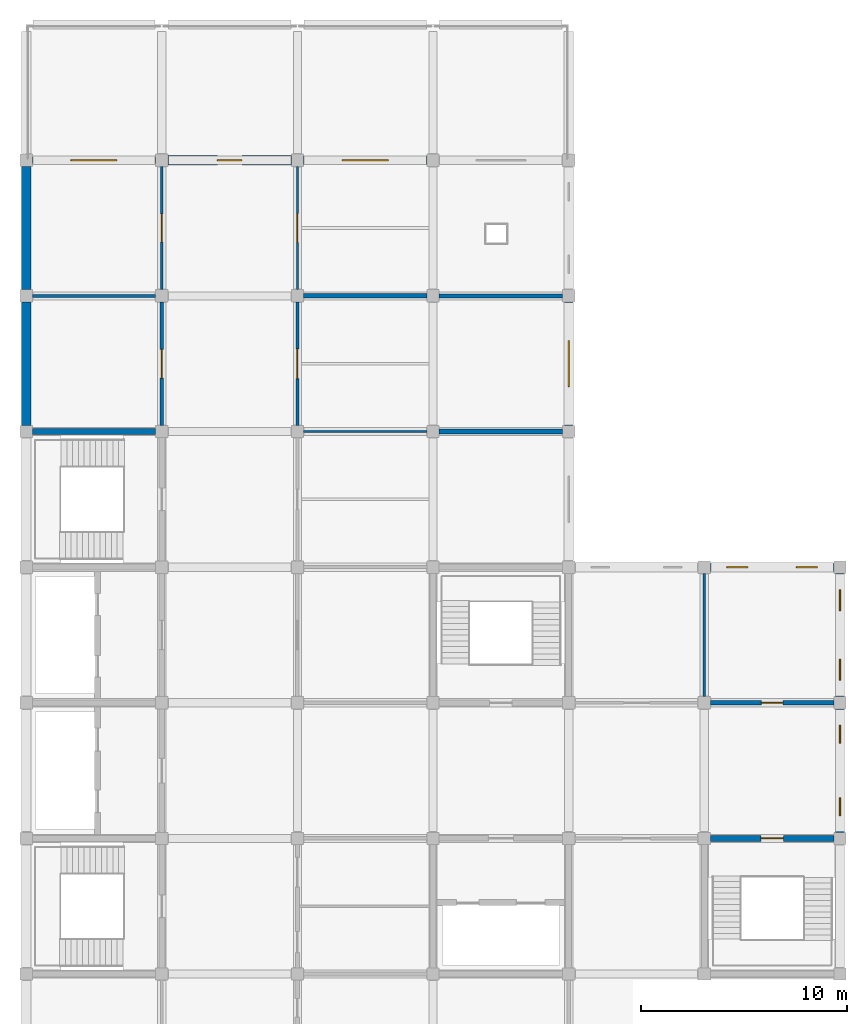
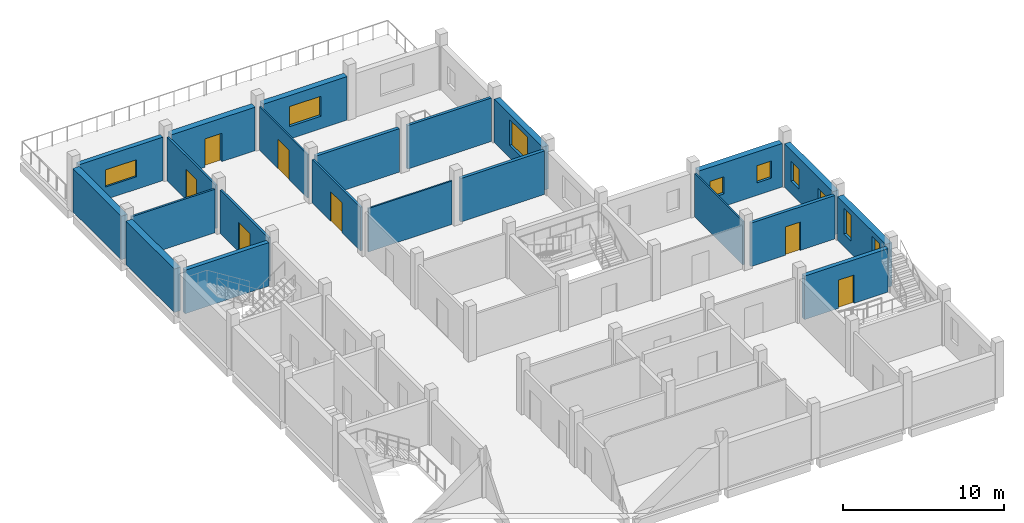
# One storey, part 4 of 7: 22 walls, 9 windows, 7 doors, 16 openings.
"""IFC4 building model written with IfcOpenShell, lengths in metres."""

from ifc_helpers import new_model, si_unit, direction, frame, frame_2d, origin, place, context, subcontext, project, spatial, rectangle, extrude, material, layer, layer_set, type_object, element, fill, save


model = new_model("IFC4")

# Units and contexts
model_context = context("Model", 3, precision=1e-05, world=origin(), true_north=direction((0.0, 1.0)))
body_context = subcontext(model_context, "Body", "Model", "MODEL_VIEW")
ifc_project = project(units=[si_unit("LENGTHUNIT", "METRE"), si_unit("AREAUNIT", "SQUARE_METRE"), si_unit("VOLUMEUNIT", "CUBIC_METRE"), si_unit("PLANEANGLEUNIT", "RADIAN"), si_unit("MASSUNIT", "GRAM", prefix="KILO")], contexts=[model_context])

# Site, building, storey
site_placement = place(None, origin())
site = spatial("IfcSite", under=ifc_project, at=site_placement, CompositionType="ELEMENT")
building_placement = place(site_placement, origin())
building = spatial("IfcBuilding", under=site, at=building_placement, Name="Rusizi Kubbe Research Institute", CompositionType="ELEMENT")
storey_placement = place(building_placement, frame((0.0, 0.0, 64.800048828125)))
storey = spatial("IfcBuildingStorey", under=building, at=storey_placement, Name="L15", CompositionType="ELEMENT", Elevation=64.800048828125)

# Wall
ifc_material_1 = material(Name="Concrete C40/50", Category="concrete")
ifc_layer_1 = layer(ifc_material_1, 0.294921875)
ifc_layer_set_1 = layer_set([ifc_layer_1], Name="Concrete C40/50")
wall_type_1 = type_object("IfcWallType", Name="CRW-03", PredefinedType="SHEAR", material=ifc_layer_set_1)
wall_1_placement = place(storey_placement, frame((0.300048828125, 33.0, 0.0), z_axis=(0.0, 0.0, 1.0), x_axis=(1.0, 0.0, 0.0)))
element("IfcWall", 1, at=wall_1_placement, inside=storey, type_object=wall_type_1, Name="Stair Core Shear Wall ST2 L15 N", PredefinedType="SHEAR", context=body_context, shape_type="SweptSolid", body=[
    extrude(rectangle(XDim=6.0, YDim=0.294921875, at=frame_2d((3.0, 0.0))), origin(), (0.0, 0.0, 1.0), 3.300048828125),
])

# Wall, opening, door
wall_2_placement = place(storey_placement, frame((33.300048828125, 13.199951171875, 0.0), z_axis=(0.0, 0.0, 1.0), x_axis=(1.0, 0.0, 0.0)))
wall_2 = element("IfcWall", 2, at=wall_2_placement, inside=storey, type_object=wall_type_1, Name="Stair Core Shear Wall ST4 L15 N", PredefinedType="SHEAR", context=body_context, shape_type="SweptSolid", body=[
    extrude(rectangle(XDim=6.0, YDim=0.294921875, at=frame_2d((3.0, 0.0))), origin(), (0.0, 0.0, 1.0), 3.300048828125),
])
opening_1_placement = place(wall_2_placement, frame((2.449951171875, 0.0, 0.0)))
opening_1 = element("IfcOpeningElement", 3, at=opening_1_placement, cuts=wall_2, Name="Opening D-01", PredefinedType="OPENING", context=body_context, shape_type="SweptSolid", body=[
    extrude(rectangle(XDim=1.10009765625, YDim=2.14990234375, at=frame_2d((0.550048828125, 1.074951171875))), frame((0.0, 0.157470703125, 0.0), z_axis=(0.0, -1.0, 0.0), x_axis=(1.0, 0.0, 0.0)), (0.0, 0.0, 1.0), 0.31494140625),
])
ifc_material_2 = material(Name="Fire-Rated Steel Frame and Acoustic Timber Leaf", Category="wood")
door_type_1 = type_object("IfcDoorType", Name="ID-STAIR-110", OperationType="NOTDEFINED", PredefinedType="DOOR", material=ifc_material_2)
door_1_placement = place(opening_1_placement, origin())
door_1 = element("IfcDoor", 4, at=door_1_placement, inside=storey, type_object=door_type_1, Name="Exit Stair Door ST4 L15", OperationType="SINGLE_SWING_LEFT", OverallHeight=2.14990234375, OverallWidth=1.10009765625, PredefinedType="DOOR", context=body_context, shape_type="SweptSolid", body=[
    extrude(rectangle(XDim=1.10009765625, YDim=2.14990234375, at=frame_2d((0.550048828125, 1.074951171875))), frame((0.0, 0.02490234375, 0.0), z_axis=(0.0, -1.0, 0.0), x_axis=(1.0, 0.0, 0.0)), (0.0, 0.0, 1.0), 0.050048828125),
])
fill(opening_1, door_1)

ifc_material_3 = material(Name="Volcanic Basalt Ashlar Masonry", Category="masonry")
ifc_layer_2 = layer(ifc_material_3, 0.43994140625)
ifc_layer_set_2 = layer_set([ifc_layer_2], Name="Volcanic Basalt Ashlar Masonry")
wall_type_2 = type_object("IfcWallType", Name="EW-01", PredefinedType="SOLIDWALL", material=ifc_layer_set_2)
wall_3_placement = place(storey_placement, frame((6.89990234375, 46.199951171875, 0.0), z_axis=(0.0, 0.0, 1.0), x_axis=(1.0, 0.0, 0.0)))
wall_3 = element("IfcWall", 5, at=wall_3_placement, inside=storey, type_object=wall_type_2, Name="Terrace Access Wall L15 H1-7", PredefinedType="SOLIDWALL", context=body_context, shape_type="SweptSolid", body=[
    extrude(rectangle(XDim=6.0, YDim=0.43994140625, at=frame_2d((3.0, 0.0))), origin(), (0.0, 0.0, 1.0), 3.300048828125),
])
opening_2_placement = place(wall_3_placement, frame((2.39990234375, 0.0, 0.0)))
opening_2 = element("IfcOpeningElement", 6, at=opening_2_placement, cuts=wall_3, Name="Opening D-38", PredefinedType="OPENING", context=body_context, shape_type="SweptSolid", body=[
    extrude(rectangle(XDim=1.199951171875, YDim=2.14990234375, at=frame_2d((0.60009765625, 1.074951171875))), frame((0.0, 0.22998046875, 0.0), z_axis=(0.0, -1.0, 0.0), x_axis=(1.0, 0.0, 0.0)), (0.0, 0.0, 1.0), 0.4599609375),
])
ifc_material_4 = material(Name="Insulated Steel and Laminated Safety Glass", Category="steel")
door_type_2 = type_object("IfcDoorType", Name="ED-08", OperationType="NOTDEFINED", PredefinedType="DOOR", material=ifc_material_4)
door_2_placement = place(opening_2_placement, origin())
door_2 = element("IfcDoor", 7, at=door_2_placement, inside=storey, type_object=door_type_2, Name="Roof Terrace Door L15-T08", OperationType="SINGLE_SWING_RIGHT", OverallHeight=2.14990234375, OverallWidth=1.199951171875, PredefinedType="DOOR", context=body_context, shape_type="SweptSolid", body=[
    extrude(rectangle(XDim=1.199951171875, YDim=2.14990234375, at=frame_2d((0.60009765625, 1.074951171875))), frame((0.0, 0.02490234375, 0.0), z_axis=(0.0, -1.0, 0.0), x_axis=(1.0, 0.0, 0.0)), (0.0, 0.0, 1.0), 0.050048828125),
])
fill(opening_2, door_2)

# Wall, openings, windows
wall_4_placement = place(storey_placement, frame((39.60009765625, 13.5, 0.0), z_axis=(0.0, 0.0, 1.0), x_axis=(0.0, 1.0, 0.0)))
wall_4 = element("IfcWall", 8, at=wall_4_placement, inside=storey, type_object=wall_type_2, Name="Ablaq Stone Exterior Wall L15 V6-2", PredefinedType="SOLIDWALL", context=body_context, shape_type="SweptSolid", body=[
    extrude(rectangle(XDim=6.0, YDim=0.43994140625, at=frame_2d((3.0, 0.0))), origin(), (0.0, 0.0, 1.0), 3.300048828125),
])
opening_3_placement = place(wall_4_placement, frame((0.800048828125, 0.0, 0.949951171875)))
opening_3 = element("IfcOpeningElement", 9, at=opening_3_placement, cuts=wall_4, Name="Opening WN-04", PredefinedType="OPENING", context=body_context, shape_type="SweptSolid", body=[
    extrude(rectangle(XDim=0.8798828125, YDim=1.9599609375, at=frame_2d((0.43994140625, 0.97998046875))), frame((0.0, 0.22998046875, 0.0), z_axis=(0.0, -1.0, 0.0), x_axis=(1.0, 0.0, 0.0)), (0.0, 0.0, 1.0), 0.4599609375),
])
opening_4_placement = place(wall_4_placement, frame((4.320068359375, 0.0, 0.949951171875)))
opening_4 = element("IfcOpeningElement", 10, at=opening_4_placement, cuts=wall_4, Name="Opening WN-04", PredefinedType="OPENING", context=body_context, shape_type="SweptSolid", body=[
    extrude(rectangle(XDim=0.8798828125, YDim=1.9599609375, at=frame_2d((0.43994140625, 0.97998046875))), frame((0.0, 0.22998046875, 0.0), z_axis=(0.0, -1.0, 0.0), x_axis=(1.0, 0.0, 0.0)), (0.0, 0.0, 1.0), 0.4599609375),
])
ifc_material_5 = material(Name="Aluminium Frame and Solar-Control Double Glazing", Category="glass")
window_type_1 = type_object("IfcWindowType", Name="WN-04", PartitioningType="SINGLE_PANEL", PredefinedType="WINDOW", material=ifc_material_5)
window_1_placement = place(opening_3_placement, origin())
window_1 = element("IfcWindow", 11, at=window_1_placement, inside=storey, type_object=window_type_1, Name="Casement Window WN-04 L15", OverallHeight=1.9599609375, OverallWidth=0.8798828125, PartitioningType="SINGLE_PANEL", PredefinedType="WINDOW", context=body_context, shape_type="SweptSolid", body=[
    extrude(rectangle(XDim=0.8798828125, YDim=1.9599609375, at=frame_2d((0.43994140625, 0.97998046875))), frame((0.0, 0.030029296875, 0.0), z_axis=(0.0, -1.0, 0.0), x_axis=(1.0, 0.0, 0.0)), (0.0, 0.0, 1.0), 0.06005859375),
])
fill(opening_3, window_1)
window_2_placement = place(opening_4_placement, origin())
window_2 = element("IfcWindow", 12, at=window_2_placement, inside=storey, type_object=window_type_1, Name="Casement Window WN-04 L15", OverallHeight=1.9599609375, OverallWidth=0.8798828125, PartitioningType="SINGLE_PANEL", PredefinedType="WINDOW", context=body_context, shape_type="SweptSolid", body=[
    extrude(rectangle(XDim=0.8798828125, YDim=1.9599609375, at=frame_2d((0.43994140625, 0.97998046875))), frame((0.0, 0.030029296875, 0.0), z_axis=(0.0, -1.0, 0.0), x_axis=(1.0, 0.0, 0.0)), (0.0, 0.0, 1.0), 0.06005859375),
])
fill(opening_4, window_2)

# Wall, opening, window
ifc_material_6 = material(Name="Volcanic Basalt Ashlar Masonry", Category="masonry")
ifc_layer_3 = layer(ifc_material_6, 0.419921875)
ifc_layer_set_3 = layer_set([ifc_layer_3], Name="Volcanic Basalt Ashlar Masonry")
wall_type_3 = type_object("IfcWallType", Name="EW-02", PredefinedType="SOLIDWALL", material=ifc_layer_set_3)
wall_5_placement = place(storey_placement, frame((13.5, 46.199951171875, 0.0), z_axis=(0.0, 0.0, 1.0), x_axis=(1.0, 0.0, 0.0)))
wall_5 = element("IfcWall", 13, at=wall_5_placement, inside=storey, type_object=wall_type_3, Name="Ablaq Stone Exterior Wall L15 H2-7", PredefinedType="SOLIDWALL", context=body_context, shape_type="SweptSolid", body=[
    extrude(rectangle(XDim=6.0, YDim=0.419921875, at=frame_2d((3.0, 0.0))), origin(), (0.0, 0.0, 1.0), 3.300048828125),
])
opening_5_placement = place(wall_5_placement, frame((1.8798828125, 0.0, 0.949951171875)))
opening_5 = element("IfcOpeningElement", 14, at=opening_5_placement, cuts=wall_5, Name="Opening WN-30", PredefinedType="OPENING", context=body_context, shape_type="SweptSolid", body=[
    extrude(rectangle(XDim=2.239990234375, YDim=1.52001953125, at=frame_2d((1.1201171875, 0.760009765625))), frame((0.0, 0.219970703125, 0.0), z_axis=(0.0, -1.0, 0.0), x_axis=(1.0, 0.0, 0.0)), (0.0, 0.0, 1.0), 0.43994140625),
])
ifc_material_7 = material(Name="Aluminium Frame and Solar-Control Double Glazing", Category="glass")
window_type_2 = type_object("IfcWindowType", Name="WN-30", PartitioningType="DOUBLE_PANEL_VERTICAL", PredefinedType="WINDOW", material=ifc_material_7)
window_3_placement = place(opening_5_placement, origin())
window_3 = element("IfcWindow", 15, at=window_3_placement, inside=storey, type_object=window_type_2, Name="Casement Window WN-30 L15", OverallHeight=1.52001953125, OverallWidth=2.239990234375, PartitioningType="DOUBLE_PANEL_VERTICAL", PredefinedType="WINDOW", context=body_context, shape_type="SweptSolid", body=[
    extrude(rectangle(XDim=2.239990234375, YDim=1.52001953125, at=frame_2d((1.1201171875, 0.760009765625))), frame((0.0, 0.030029296875, 0.0), z_axis=(0.0, -1.0, 0.0), x_axis=(1.0, 0.0, 0.0)), (0.0, 0.0, 1.0), 0.06005859375),
])
fill(opening_5, window_3)

wall_6_placement = place(storey_placement, frame((26.39990234375, 33.300048828125, 0.0), z_axis=(0.0, 0.0, 1.0), x_axis=(0.0, 1.0, 0.0)))
wall_6 = element("IfcWall", 16, at=wall_6_placement, inside=storey, type_object=wall_type_3, Name="Ablaq Stone Exterior Wall L15 V4-5", PredefinedType="SOLIDWALL", context=body_context, shape_type="SweptSolid", body=[
    extrude(rectangle(XDim=6.0, YDim=0.419921875, at=frame_2d((3.0, 0.0))), origin(), (0.0, 0.0, 1.0), 3.300048828125),
])
opening_6_placement = place(wall_6_placement, frame((1.8798828125, 0.0, 0.949951171875)))
opening_6 = element("IfcOpeningElement", 17, at=opening_6_placement, cuts=wall_6, Name="Opening WN-32", PredefinedType="OPENING", context=body_context, shape_type="SweptSolid", body=[
    extrude(rectangle(XDim=2.239990234375, YDim=1.9599609375, at=frame_2d((1.1201171875, 0.97998046875))), frame((0.0, 0.219970703125, 0.0), z_axis=(0.0, -1.0, 0.0), x_axis=(1.0, 0.0, 0.0)), (0.0, 0.0, 1.0), 0.43994140625),
])
ifc_material_8 = material(Name="Aluminium Frame and Solar-Control Double Glazing", Category="glass")
window_type_3 = type_object("IfcWindowType", Name="WN-32", PartitioningType="DOUBLE_PANEL_VERTICAL", PredefinedType="WINDOW", material=ifc_material_8)
window_4_placement = place(opening_6_placement, origin())
window_4 = element("IfcWindow", 18, at=window_4_placement, inside=storey, type_object=window_type_3, Name="Casement Window WN-32 L15", OverallHeight=1.9599609375, OverallWidth=2.239990234375, PartitioningType="DOUBLE_PANEL_VERTICAL", PredefinedType="WINDOW", context=body_context, shape_type="SweptSolid", body=[
    extrude(rectangle(XDim=2.239990234375, YDim=1.9599609375, at=frame_2d((1.1201171875, 0.97998046875))), frame((0.0, 0.030029296875, 0.0), z_axis=(0.0, -1.0, 0.0), x_axis=(1.0, 0.0, 0.0)), (0.0, 0.0, 1.0), 0.06005859375),
])
fill(opening_6, window_4)

# Wall, openings, windows
wall_7_placement = place(storey_placement, frame((33.300048828125, 26.39990234375, 0.0), z_axis=(0.0, 0.0, 1.0), x_axis=(1.0, 0.0, 0.0)))
wall_7 = element("IfcWall", 19, at=wall_7_placement, inside=storey, type_object=wall_type_3, Name="Ablaq Stone Exterior Wall L15 H5-4", PredefinedType="SOLIDWALL", context=body_context, shape_type="SweptSolid", body=[
    extrude(rectangle(XDim=6.0, YDim=0.419921875, at=frame_2d((3.0, 0.0))), origin(), (0.0, 0.0, 1.0), 3.300048828125),
])
opening_7_placement = place(wall_7_placement, frame((0.800048828125, 0.0, 0.949951171875)))
opening_7 = element("IfcOpeningElement", 20, at=opening_7_placement, cuts=wall_7, Name="Opening WN-05", PredefinedType="OPENING", context=body_context, shape_type="SweptSolid", body=[
    extrude(rectangle(XDim=1.02001953125, YDim=1.300048828125, at=frame_2d((0.510009765625, 0.64990234375))), frame((0.0, 0.219970703125, 0.0), z_axis=(0.0, -1.0, 0.0), x_axis=(1.0, 0.0, 0.0)), (0.0, 0.0, 1.0), 0.43994140625),
])
opening_8_placement = place(wall_7_placement, frame((4.179931640625, 0.0, 0.949951171875)))
opening_8 = element("IfcOpeningElement", 21, at=opening_8_placement, cuts=wall_7, Name="Opening WN-05", PredefinedType="OPENING", context=body_context, shape_type="SweptSolid", body=[
    extrude(rectangle(XDim=1.02001953125, YDim=1.300048828125, at=frame_2d((0.510009765625, 0.64990234375))), frame((0.0, 0.219970703125, 0.0), z_axis=(0.0, -1.0, 0.0), x_axis=(1.0, 0.0, 0.0)), (0.0, 0.0, 1.0), 0.43994140625),
])
ifc_material_9 = material(Name="Aluminium Frame and Solar-Control Double Glazing", Category="glass")
window_type_4 = type_object("IfcWindowType", Name="WN-05", PartitioningType="SINGLE_PANEL", PredefinedType="WINDOW", material=ifc_material_9)
window_5_placement = place(opening_7_placement, origin())
window_5 = element("IfcWindow", 22, at=window_5_placement, inside=storey, type_object=window_type_4, Name="Casement Window WN-05 L15", OverallHeight=1.300048828125, OverallWidth=1.02001953125, PartitioningType="SINGLE_PANEL", PredefinedType="WINDOW", context=body_context, shape_type="SweptSolid", body=[
    extrude(rectangle(XDim=1.02001953125, YDim=1.300048828125, at=frame_2d((0.510009765625, 0.64990234375))), frame((0.0, 0.030029296875, 0.0), z_axis=(0.0, -1.0, 0.0), x_axis=(1.0, 0.0, 0.0)), (0.0, 0.0, 1.0), 0.06005859375),
])
fill(opening_7, window_5)
window_6_placement = place(opening_8_placement, origin())
window_6 = element("IfcWindow", 23, at=window_6_placement, inside=storey, type_object=window_type_4, Name="Casement Window WN-05 L15", OverallHeight=1.300048828125, OverallWidth=1.02001953125, PartitioningType="SINGLE_PANEL", PredefinedType="WINDOW", context=body_context, shape_type="SweptSolid", body=[
    extrude(rectangle(XDim=1.02001953125, YDim=1.300048828125, at=frame_2d((0.510009765625, 0.64990234375))), frame((0.0, 0.030029296875, 0.0), z_axis=(0.0, -1.0, 0.0), x_axis=(1.0, 0.0, 0.0)), (0.0, 0.0, 1.0), 0.06005859375),
])
fill(opening_8, window_6)

wall_8_placement = place(storey_placement, frame((39.60009765625, 20.10009765625, 0.0), z_axis=(0.0, 0.0, 1.0), x_axis=(0.0, 1.0, 0.0)))
wall_8 = element("IfcWall", 24, at=wall_8_placement, inside=storey, type_object=wall_type_3, Name="Ablaq Stone Exterior Wall L15 V6-3", PredefinedType="SOLIDWALL", context=body_context, shape_type="SweptSolid", body=[
    extrude(rectangle(XDim=6.0, YDim=0.419921875, at=frame_2d((3.0, 0.0))), origin(), (0.0, 0.0, 1.0), 3.300048828125),
])
opening_9_placement = place(wall_8_placement, frame((0.800048828125, 0.0, 0.949951171875)))
opening_9 = element("IfcOpeningElement", 25, at=opening_9_placement, cuts=wall_8, Name="Opening WN-06", PredefinedType="OPENING", context=body_context, shape_type="SweptSolid", body=[
    extrude(rectangle(XDim=1.02001953125, YDim=1.52001953125, at=frame_2d((0.510009765625, 0.760009765625))), frame((0.0, 0.219970703125, 0.0), z_axis=(0.0, -1.0, 0.0), x_axis=(1.0, 0.0, 0.0)), (0.0, 0.0, 1.0), 0.43994140625),
])
opening_10_placement = place(wall_8_placement, frame((4.179931640625, 0.0, 0.949951171875)))
opening_10 = element("IfcOpeningElement", 26, at=opening_10_placement, cuts=wall_8, Name="Opening WN-06", PredefinedType="OPENING", context=body_context, shape_type="SweptSolid", body=[
    extrude(rectangle(XDim=1.02001953125, YDim=1.52001953125, at=frame_2d((0.510009765625, 0.760009765625))), frame((0.0, 0.219970703125, 0.0), z_axis=(0.0, -1.0, 0.0), x_axis=(1.0, 0.0, 0.0)), (0.0, 0.0, 1.0), 0.43994140625),
])
ifc_material_10 = material(Name="Aluminium Frame and Solar-Control Double Glazing", Category="glass")
window_type_5 = type_object("IfcWindowType", Name="WN-06", PartitioningType="SINGLE_PANEL", PredefinedType="WINDOW", material=ifc_material_10)
window_7_placement = place(opening_9_placement, origin())
window_7 = element("IfcWindow", 27, at=window_7_placement, inside=storey, type_object=window_type_5, Name="Casement Window WN-06 L15", OverallHeight=1.52001953125, OverallWidth=1.02001953125, PartitioningType="SINGLE_PANEL", PredefinedType="WINDOW", context=body_context, shape_type="SweptSolid", body=[
    extrude(rectangle(XDim=1.02001953125, YDim=1.52001953125, at=frame_2d((0.510009765625, 0.760009765625))), frame((0.0, 0.030029296875, 0.0), z_axis=(0.0, -1.0, 0.0), x_axis=(1.0, 0.0, 0.0)), (0.0, 0.0, 1.0), 0.06005859375),
])
fill(opening_9, window_7)
window_8_placement = place(opening_10_placement, origin())
window_8 = element("IfcWindow", 28, at=window_8_placement, inside=storey, type_object=window_type_5, Name="Casement Window WN-06 L15", OverallHeight=1.52001953125, OverallWidth=1.02001953125, PartitioningType="SINGLE_PANEL", PredefinedType="WINDOW", context=body_context, shape_type="SweptSolid", body=[
    extrude(rectangle(XDim=1.02001953125, YDim=1.52001953125, at=frame_2d((0.510009765625, 0.760009765625))), frame((0.0, 0.030029296875, 0.0), z_axis=(0.0, -1.0, 0.0), x_axis=(1.0, 0.0, 0.0)), (0.0, 0.0, 1.0), 0.06005859375),
])
fill(opening_10, window_8)

# Wall, opening, window
ifc_material_11 = material(Name="Volcanic Basalt Ashlar Masonry", Category="masonry")
ifc_layer_4 = layer(ifc_material_11, 0.324951171875)
ifc_layer_set_4 = layer_set([ifc_layer_4], Name="Volcanic Basalt Ashlar Masonry")
wall_type_4 = type_object("IfcWallType", Name="EW-08", PredefinedType="SOLIDWALL", material=ifc_layer_set_4)
wall_9_placement = place(storey_placement, frame((0.300048828125, 46.199951171875, 0.0), z_axis=(0.0, 0.0, 1.0), x_axis=(1.0, 0.0, 0.0)))
wall_9 = element("IfcWall", 29, at=wall_9_placement, inside=storey, type_object=wall_type_4, Name="Ablaq Stone Exterior Wall L15 H0-7", PredefinedType="SOLIDWALL", context=body_context, shape_type="SweptSolid", body=[
    extrude(rectangle(XDim=6.0, YDim=0.324951171875, at=frame_2d((3.0, 0.0))), origin(), (0.0, 0.0, 1.0), 3.300048828125),
])
opening_11_placement = place(wall_9_placement, frame((1.8798828125, 0.0, 0.949951171875)))
opening_11 = element("IfcOpeningElement", 30, at=opening_11_placement, cuts=wall_9, Name="Opening WN-29", PredefinedType="OPENING", context=body_context, shape_type="SweptSolid", body=[
    extrude(rectangle(XDim=2.239990234375, YDim=1.300048828125, at=frame_2d((1.1201171875, 0.64990234375))), frame((0.0, 0.17236328125, 0.0), z_axis=(0.0, -1.0, 0.0), x_axis=(1.0, 0.0, 0.0)), (0.0, 0.0, 1.0), 0.344970703125),
])
ifc_material_12 = material(Name="Aluminium Frame and Solar-Control Double Glazing", Category="glass")
window_type_6 = type_object("IfcWindowType", Name="WN-29", PartitioningType="DOUBLE_PANEL_VERTICAL", PredefinedType="WINDOW", material=ifc_material_12)
window_9_placement = place(opening_11_placement, origin())
window_9 = element("IfcWindow", 31, at=window_9_placement, inside=storey, type_object=window_type_6, Name="Casement Window WN-29 L15", OverallHeight=1.300048828125, OverallWidth=2.239990234375, PartitioningType="DOUBLE_PANEL_VERTICAL", PredefinedType="WINDOW", context=body_context, shape_type="SweptSolid", body=[
    extrude(rectangle(XDim=2.239990234375, YDim=1.300048828125, at=frame_2d((1.1201171875, 0.64990234375))), frame((0.0, 0.030029296875, 0.0), z_axis=(0.0, -1.0, 0.0), x_axis=(1.0, 0.0, 0.0)), (0.0, 0.0, 1.0), 0.06005859375),
])
fill(opening_11, window_9)

# Walls
ifc_material_13 = material(Name="Concrete Blockwork Fire Partition", Category="masonry")
ifc_layer_5 = layer(ifc_material_13, 0.22509765625)
ifc_layer_set_5 = layer_set([ifc_layer_5], Name="Concrete Blockwork Fire Partition")
wall_type_5 = type_object("IfcWallType", Name="IW-01", PredefinedType="PARTITIONING", material=ifc_layer_set_5)
for number, where, z_axis, x_axis, name in (
    (32, (13.5, 39.60009765625, 0.0), (0.0, 0.0, 1.0), (1.0, 0.0, 0.0), "Interior Partition Wall L15 H2-6"),
    (33, (20.10009765625, 33.0, 0.0), (0.0, 0.0, 1.0), (1.0, 0.0, 0.0), "Interior Partition Wall L15 H3-5"),
):
    element("IfcWall", number, at=place(storey_placement, frame(where, z_axis=z_axis, x_axis=x_axis)), inside=storey, type_object=wall_type_5, Name=name, PredefinedType="PARTITIONING", context=body_context, shape_type="SweptSolid", body=[
        extrude(rectangle(XDim=6.0, YDim=0.22509765625, at=frame_2d((3.0, 0.0))), origin(), (0.0, 0.0, 1.0), 3.300048828125),
    ])

# Wall, opening, door
wall_10_placement = place(storey_placement, frame((33.300048828125, 19.800048828125, 0.0), z_axis=(0.0, 0.0, 1.0), x_axis=(1.0, 0.0, 0.0)))
wall_10 = element("IfcWall", 34, at=wall_10_placement, inside=storey, type_object=wall_type_5, Name="Interior Partition Wall L15 H5-3", PredefinedType="PARTITIONING", context=body_context, shape_type="SweptSolid", body=[
    extrude(rectangle(XDim=6.0, YDim=0.22509765625, at=frame_2d((3.0, 0.0))), origin(), (0.0, 0.0, 1.0), 3.300048828125),
])
opening_12_placement = place(wall_10_placement, frame((2.47509765625, 0.0, 0.0)))
opening_12 = element("IfcOpeningElement", 35, at=opening_12_placement, cuts=wall_10, Name="Opening D-16", PredefinedType="OPENING", context=body_context, shape_type="SweptSolid", body=[
    extrude(rectangle(XDim=1.050048828125, YDim=2.14990234375, at=frame_2d((0.52490234375, 1.074951171875))), frame((0.0, 0.12255859375, 0.0), z_axis=(0.0, -1.0, 0.0), x_axis=(1.0, 0.0, 0.0)), (0.0, 0.0, 1.0), 0.2451171875),
])
ifc_material_14 = material(Name="Fire-Rated Steel Frame and Acoustic Timber Leaf", Category="wood")
door_type_3 = type_object("IfcDoorType", Name="ID-OFF-105", OperationType="NOTDEFINED", PredefinedType="DOOR", material=ifc_material_14)
door_3_placement = place(opening_12_placement, origin())
door_3 = element("IfcDoor", 36, at=door_3_placement, inside=storey, type_object=door_type_3, Name="Door to Write-up Office (L15-EWN-02)", OperationType="SINGLE_SWING_LEFT", OverallHeight=2.14990234375, OverallWidth=1.050048828125, PredefinedType="DOOR", context=body_context, shape_type="SweptSolid", body=[
    extrude(rectangle(XDim=1.050048828125, YDim=2.14990234375, at=frame_2d((0.52490234375, 1.074951171875))), frame((0.0, 0.02490234375, 0.0), z_axis=(0.0, -1.0, 0.0), x_axis=(1.0, 0.0, 0.0)), (0.0, 0.0, 1.0), 0.050048828125),
])
fill(opening_12, door_3)

# Wall
ifc_material_15 = material(Name="Insulated Cleanroom Partition", Category="masonry")
ifc_layer_6 = layer(ifc_material_15, 0.195068359375)
ifc_layer_set_6 = layer_set([ifc_layer_6], Name="Insulated Cleanroom Partition")
wall_type_6 = type_object("IfcWallType", Name="IW-02", PredefinedType="PARTITIONING", material=ifc_layer_set_6)
wall_11_placement = place(storey_placement, frame((20.10009765625, 39.60009765625, 0.0), z_axis=(0.0, 0.0, 1.0), x_axis=(1.0, 0.0, 0.0)))
element("IfcWall", 37, at=wall_11_placement, inside=storey, type_object=wall_type_6, Name="Interior Partition Wall L15 H3-6", PredefinedType="PARTITIONING", context=body_context, shape_type="SweptSolid", body=[
    extrude(rectangle(XDim=6.0, YDim=0.195068359375, at=frame_2d((3.0, 0.0))), origin(), (0.0, 0.0, 1.0), 3.300048828125),
])

# Wall, opening, door
ifc_material_16 = material(Name="Fire-Rated Corridor Partition", Category="masonry")
ifc_layer_7 = layer(ifc_material_16, 0.155029296875)
ifc_layer_set_7 = layer_set([ifc_layer_7], Name="Fire-Rated Corridor Partition")
wall_type_7 = type_object("IfcWallType", Name="IW-04", PredefinedType="PARTITIONING", material=ifc_layer_set_7)
wall_12_placement = place(storey_placement, frame((6.60009765625, 33.300048828125, 0.0), z_axis=(0.0, 0.0, 1.0), x_axis=(0.0, 1.0, 0.0)))
wall_12 = element("IfcWall", 38, at=wall_12_placement, inside=storey, type_object=wall_type_7, Name="Interior Partition Wall L15 V1-5", PredefinedType="PARTITIONING", context=body_context, shape_type="SweptSolid", body=[
    extrude(rectangle(XDim=6.0, YDim=0.155029296875, at=frame_2d((3.0, 0.0))), origin(), (0.0, 0.0, 1.0), 3.300048828125),
])
opening_13_placement = place(wall_12_placement, frame((2.300048828125, 0.0, 0.0)))
opening_13 = element("IfcOpeningElement", 39, at=opening_13_placement, cuts=wall_12, Name="Opening D-12", PredefinedType="OPENING", context=body_context, shape_type="SweptSolid", body=[
    extrude(rectangle(XDim=1.39990234375, YDim=2.25, at=frame_2d((0.699951171875, 1.125))), frame((0.0, 0.08740234375, 0.0), z_axis=(0.0, -1.0, 0.0), x_axis=(1.0, 0.0, 0.0)), (0.0, 0.0, 1.0), 0.175048828125),
])
ifc_material_17 = material(Name="Fire-Rated Steel Frame and Acoustic Timber Leaf", Category="wood")
door_type_4 = type_object("IfcDoorType", Name="ID-LAB-140", OperationType="NOTDEFINED", PredefinedType="DOOR", material=ifc_material_17)
door_4_placement = place(opening_13_placement, origin())
door_4 = element("IfcDoor", 40, at=door_4_placement, inside=storey, type_object=door_type_4, Name="Door to Clean Room Metrology Laboratory (L15-WSP-05)", OperationType="SINGLE_SWING_RIGHT", OverallHeight=2.25, OverallWidth=1.39990234375, PredefinedType="DOOR", context=body_context, shape_type="SweptSolid", body=[
    extrude(rectangle(XDim=1.39990234375, YDim=2.25, at=frame_2d((0.699951171875, 1.125))), frame((0.0, 0.02490234375, 0.0), z_axis=(0.0, -1.0, 0.0), x_axis=(1.0, 0.0, 0.0)), (0.0, 0.0, 1.0), 0.050048828125),
])
fill(opening_13, door_4)

# Wall
ifc_material_18 = material(Name="Write-up Glazed Acoustic Partition", Category="masonry")
ifc_layer_8 = layer(ifc_material_18, 0.139892578125)
ifc_layer_set_8 = layer_set([ifc_layer_8], Name="Write-up Glazed Acoustic Partition")
wall_type_8 = type_object("IfcWallType", Name="IW-05", PredefinedType="PARTITIONING", material=ifc_layer_set_8)
wall_13_placement = place(storey_placement, frame((0.300048828125, 39.60009765625, 0.0), z_axis=(0.0, 0.0, 1.0), x_axis=(1.0, 0.0, 0.0)))
element("IfcWall", 41, at=wall_13_placement, inside=storey, type_object=wall_type_8, Name="Interior Partition Wall L15 H0-6", PredefinedType="PARTITIONING", context=body_context, shape_type="SweptSolid", body=[
    extrude(rectangle(XDim=6.0, YDim=0.139892578125, at=frame_2d((3.0, 0.0))), origin(), (0.0, 0.0, 1.0), 3.300048828125),
])

# Wall, opening, door
wall_14_placement = place(storey_placement, frame((6.60009765625, 39.89990234375, 0.0), z_axis=(0.0, 0.0, 1.0), x_axis=(0.0, 1.0, 0.0)))
wall_14 = element("IfcWall", 42, at=wall_14_placement, inside=storey, type_object=wall_type_8, Name="Interior Partition Wall L15 V1-6", PredefinedType="PARTITIONING", context=body_context, shape_type="SweptSolid", body=[
    extrude(rectangle(XDim=6.0, YDim=0.139892578125, at=frame_2d((3.0, 0.0))), origin(), (0.0, 0.0, 1.0), 3.300048828125),
])
opening_14_placement = place(wall_14_placement, frame((2.324951171875, 0.0, 0.0)))
opening_14 = element("IfcOpeningElement", 43, at=opening_14_placement, cuts=wall_14, Name="Opening D-13", PredefinedType="OPENING", context=body_context, shape_type="SweptSolid", body=[
    extrude(rectangle(XDim=1.35009765625, YDim=2.300048828125, at=frame_2d((0.675048828125, 1.14990234375))), frame((0.0, 0.079833984375, 0.0), z_axis=(0.0, -1.0, 0.0), x_axis=(1.0, 0.0, 0.0)), (0.0, 0.0, 1.0), 0.159912109375),
])
ifc_material_19 = material(Name="Fire-Rated Steel Frame and Acoustic Timber Leaf", Category="wood")
door_type_5 = type_object("IfcDoorType", Name="ID-LAB-135", OperationType="NOTDEFINED", PredefinedType="DOOR", material=ifc_material_19)
door_5_placement = place(opening_14_placement, origin())
door_5 = element("IfcDoor", 44, at=door_5_placement, inside=storey, type_object=door_type_5, Name="Door to Service Spine Autoclave Room (L15-WSP-06)", OperationType="SINGLE_SWING_LEFT", OverallHeight=2.300048828125, OverallWidth=1.35009765625, PredefinedType="DOOR", context=body_context, shape_type="SweptSolid", body=[
    extrude(rectangle(XDim=1.35009765625, YDim=2.300048828125, at=frame_2d((0.675048828125, 1.14990234375))), frame((0.0, 0.02490234375, 0.0), z_axis=(0.0, -1.0, 0.0), x_axis=(1.0, 0.0, 0.0)), (0.0, 0.0, 1.0), 0.050048828125),
])
fill(opening_14, door_5)

wall_15_placement = place(storey_placement, frame((13.199951171875, 33.300048828125, 0.0), z_axis=(0.0, 0.0, 1.0), x_axis=(0.0, 1.0, 0.0)))
wall_15 = element("IfcWall", 45, at=wall_15_placement, inside=storey, type_object=wall_type_8, Name="Interior Partition Wall L15 V2-5", PredefinedType="PARTITIONING", context=body_context, shape_type="SweptSolid", body=[
    extrude(rectangle(XDim=6.0, YDim=0.139892578125, at=frame_2d((3.0, 0.0))), origin(), (0.0, 0.0, 1.0), 3.300048828125),
])
opening_15_placement = place(wall_15_placement, frame((2.27490234375, 0.0, 0.0)))
opening_15 = element("IfcOpeningElement", 46, at=opening_15_placement, cuts=wall_15, Name="Opening D-11", PredefinedType="OPENING", context=body_context, shape_type="SweptSolid", body=[
    extrude(rectangle(XDim=1.449951171875, YDim=2.25, at=frame_2d((0.72509765625, 1.125))), frame((0.0, 0.079833984375, 0.0), z_axis=(0.0, -1.0, 0.0), x_axis=(1.0, 0.0, 0.0)), (0.0, 0.0, 1.0), 0.159912109375),
])
ifc_material_20 = material(Name="Fire-Rated Steel Frame and Acoustic Timber Leaf", Category="wood")
door_type_6 = type_object("IfcDoorType", Name="ID-LAB-145", OperationType="NOTDEFINED", PredefinedType="DOOR", material=ifc_material_20)
door_6_placement = place(opening_15_placement, origin())
door_6 = element("IfcDoor", 47, at=door_6_placement, inside=storey, type_object=door_type_6, Name="Door to Bioscience Wet Laboratory (L15-NW-03)", OperationType="SINGLE_SWING_LEFT", OverallHeight=2.25, OverallWidth=1.449951171875, PredefinedType="DOOR", context=body_context, shape_type="SweptSolid", body=[
    extrude(rectangle(XDim=1.449951171875, YDim=2.25, at=frame_2d((0.72509765625, 1.125))), frame((0.0, 0.02490234375, 0.0), z_axis=(0.0, -1.0, 0.0), x_axis=(1.0, 0.0, 0.0)), (0.0, 0.0, 1.0), 0.050048828125),
])
fill(opening_15, door_6)

ifc_material_21 = material(Name="Sub-Suite Fire Partition", Category="masonry")
ifc_layer_9 = layer(ifc_material_21, 0.110107421875)
ifc_layer_set_9 = layer_set([ifc_layer_9], Name="Sub-Suite Fire Partition")
wall_type_9 = type_object("IfcWallType", Name="IW-07", PredefinedType="PARTITIONING", material=ifc_layer_set_9)
wall_16_placement = place(storey_placement, frame((13.199951171875, 39.89990234375, 0.0), z_axis=(0.0, 0.0, 1.0), x_axis=(0.0, 1.0, 0.0)))
wall_16 = element("IfcWall", 48, at=wall_16_placement, inside=storey, type_object=wall_type_9, Name="Interior Partition Wall L15 V2-6", PredefinedType="PARTITIONING", context=body_context, shape_type="SweptSolid", body=[
    extrude(rectangle(XDim=6.0, YDim=0.110107421875, at=frame_2d((3.0, 0.0))), origin(), (0.0, 0.0, 1.0), 3.300048828125),
])
opening_16_placement = place(wall_16_placement, frame((2.300048828125, 0.0, 0.0)))
opening_16 = element("IfcOpeningElement", 49, at=opening_16_placement, cuts=wall_16, Name="Opening D-12", PredefinedType="OPENING", context=body_context, shape_type="SweptSolid", body=[
    extrude(rectangle(XDim=1.39990234375, YDim=2.25, at=frame_2d((0.699951171875, 1.125))), frame((0.0, 0.06494140625, 0.0), z_axis=(0.0, -1.0, 0.0), x_axis=(1.0, 0.0, 0.0)), (0.0, 0.0, 1.0), 0.130126953125),
])
door_7_placement = place(opening_16_placement, origin())
door_7 = element("IfcDoor", 50, at=door_7_placement, inside=storey, type_object=door_type_4, Name="Door to Computational Dry Laboratory (L15-NW-04)", OperationType="SINGLE_SWING_RIGHT", OverallHeight=2.25, OverallWidth=1.39990234375, PredefinedType="DOOR", context=body_context, shape_type="SweptSolid", body=[
    extrude(rectangle(XDim=1.39990234375, YDim=2.25, at=frame_2d((0.699951171875, 1.125))), frame((0.0, 0.02490234375, 0.0), z_axis=(0.0, -1.0, 0.0), x_axis=(1.0, 0.0, 0.0)), (0.0, 0.0, 1.0), 0.050048828125),
])
fill(opening_16, door_7)

# Walls
for number, where, z_axis, x_axis, name in (
    (51, (13.5, 33.0, 0.0), (0.0, 0.0, 1.0), (1.0, 0.0, 0.0), "Interior Partition Wall L15 H2-5"),
    (52, (33.0, 20.10009765625, 0.0), (0.0, 0.0, 1.0), (0.0, 1.0, 0.0), "Interior Partition Wall L15 V5-3"),
):
    element("IfcWall", number, at=place(storey_placement, frame(where, z_axis=z_axis, x_axis=x_axis)), inside=storey, type_object=wall_type_9, Name=name, PredefinedType="PARTITIONING", context=body_context, shape_type="SweptSolid", body=[
        extrude(rectangle(XDim=6.0, YDim=0.110107421875, at=frame_2d((3.0, 0.0))), origin(), (0.0, 0.0, 1.0), 3.300048828125),
    ])
ifc_material_22 = material(Name="Concrete C40/50", Category="concrete")
ifc_layer_10 = layer(ifc_material_22, 0.4599609375)
ifc_layer_set_10 = layer_set([ifc_layer_10], Name="Concrete C40/50")
wall_type_10 = type_object("IfcWallType", Name="PW-02", PredefinedType="SOLIDWALL", material=ifc_layer_set_10)
for number, where, z_axis, x_axis, name in (
    (53, (0.0, 33.300048828125, 0.0), (0.0, 0.0, 1.0), (0.0, 1.0, 0.0), "Blind Party Wall L15 V0-5"),
    (54, (0.0, 39.89990234375, 0.0), (0.0, 0.0, 1.0), (0.0, 1.0, 0.0), "Blind Party Wall L15 V0-6"),
):
    element("IfcWall", number, at=place(storey_placement, frame(where, z_axis=z_axis, x_axis=x_axis)), inside=storey, type_object=wall_type_10, Name=name, PredefinedType="SOLIDWALL", context=body_context, shape_type="SweptSolid", body=[
        extrude(rectangle(XDim=6.0, YDim=0.4599609375, at=frame_2d((3.0, 0.0))), origin(), (0.0, 0.0, 1.0), 3.300048828125),
    ])

save(model, "model.ifc")
